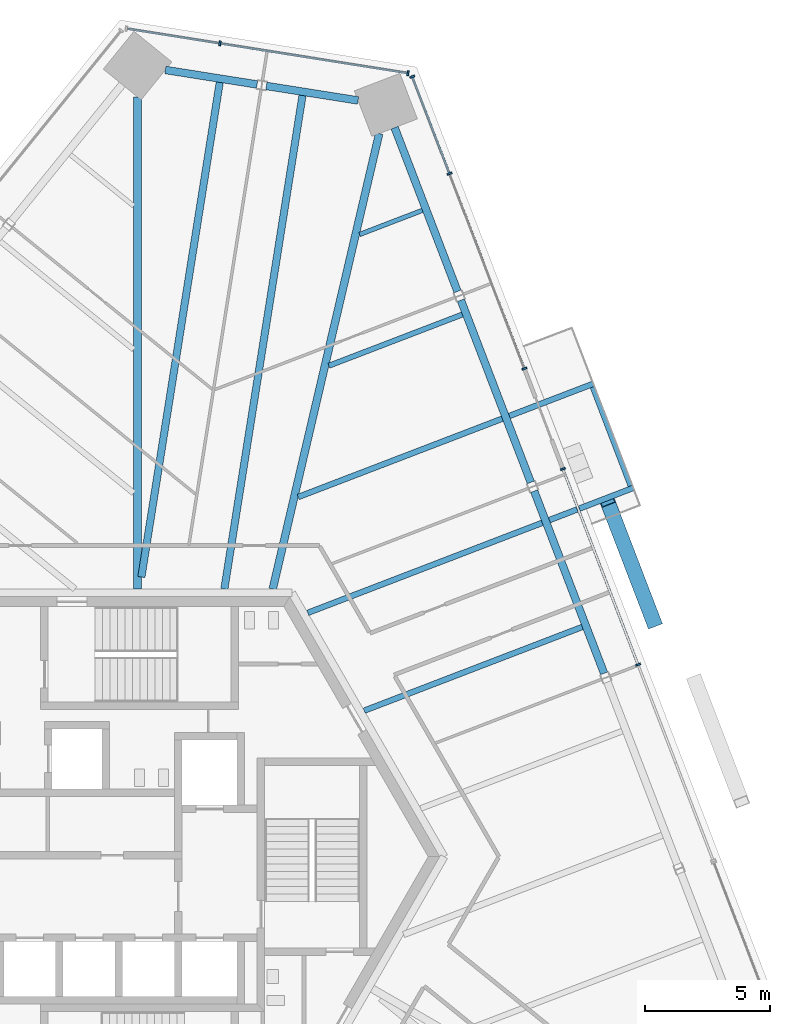
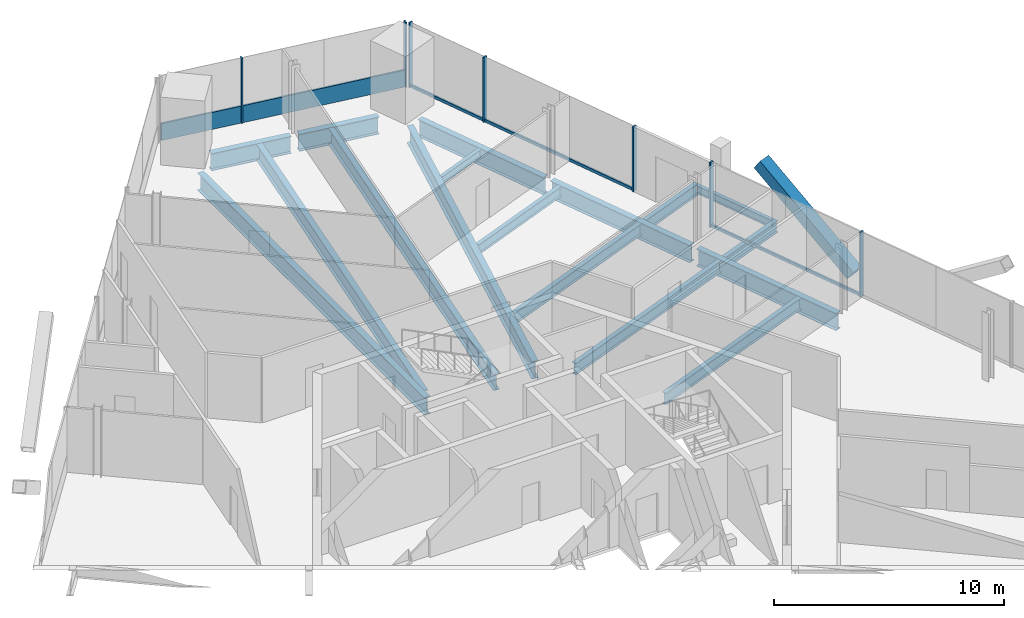
# One storey, part 8 of 18: 17 beams, 13 members, 3 elements without a shape of their own.
"""IFC4 building model written with IfcOpenShell, lengths in metres."""

from ifc_helpers import new_model, si_unit, direction, frame, origin, origin_2d, place, context, subcontext, project, spatial, rectangle, hollow_rectangle, i_section, extrude, source, transform, mapped, material, material_profile, profile_set, type_object, element, aggregate, save


model = new_model("IFC4")

# Units and contexts
model_context = context("Model", 3, precision=1e-05, world=origin(), true_north=direction((0.0, 1.0)))
body_context = subcontext(model_context, "Body", "Model", "MODEL_VIEW")
ifc_project = project(units=[si_unit("LENGTHUNIT", "METRE"), si_unit("AREAUNIT", "SQUARE_METRE"), si_unit("VOLUMEUNIT", "CUBIC_METRE"), si_unit("PLANEANGLEUNIT", "RADIAN"), si_unit("MASSUNIT", "GRAM", prefix="KILO")], contexts=[model_context])

# Site, building, storey
site_placement = place(None, origin())
site = spatial("IfcSite", under=ifc_project, at=site_placement, CompositionType="ELEMENT")
building_placement = place(site_placement, origin())
building = spatial("IfcBuilding", under=site, at=building_placement, Name="Triune Harvest Tower", CompositionType="ELEMENT")
storey_placement = place(building_placement, frame((0.0, 0.0, 156.89990234375)))
storey = spatial("IfcBuildingStorey", under=building, at=storey_placement, Name="L40", CompositionType="ELEMENT", Elevation=156.89990234375)

# Beams
ifc_material_1 = material(Name="Steel ASTM A992 Gr 50", Category="steel")
ifc_material_profile_1 = material_profile(ifc_material_1, i_section(OverallWidth=0.3046875, OverallDepth=0.914306640625, WebThickness=0.0166015625, FlangeThickness=0.02587890625, at=origin_2d()), Name="W36x160")
ifc_profile_set_1 = profile_set([ifc_material_profile_1], Name="Steel ASTM A992 Gr 50")
beam_type_1 = type_object("IfcBeamType", Name="SB-1 Spandrel beam W36x160", PredefinedType="SPANDREL", material=ifc_profile_set_1)
shared_shape_1 = source(origin(), body_context, "Body", "SweptSolid", [
    extrude(i_section(OverallWidth=0.3046875, OverallDepth=0.914306640625, WebThickness=0.0166015625, FlangeThickness=0.02587890625, at=origin_2d()), origin(), (0.0, 0.0, 1.0), 7.013427734375),
])
beam_1_placement = place(storey_placement, frame((12.709716796875, 22.592041015625, -0.6171875), z_axis=(-0.358372513984, 0.93357867436, 0.0), x_axis=(-0.93357867436, -0.358372513984, 0.0)))
element("IfcBeam", 1, at=beam_1_placement, inside=storey, type_object=beam_type_1, Name="beam/L40/SB6", PredefinedType="SPANDREL", context=body_context, shape_type="MappedRepresentation", body=[
    mapped(shared_shape_1, transform((0.0, 0.0, 0.0), scale=1.0)),
])
shared_shape_2 = source(origin(), body_context, "Body", "SweptSolid", [
    extrude(i_section(OverallWidth=0.3046875, OverallDepth=0.914306640625, WebThickness=0.0166015625, FlangeThickness=0.02587890625, at=origin_2d()), origin(), (0.0, 0.0, 1.0), 7.8017578125),
])
for number, where, z_axis, x_axis, name in (
    (2, (18.569091796875, 7.327880859375, -0.6171875), (-0.358372974677, 0.933578497514, 0.0), (-0.933578497514, -0.358372974677, 0.0), "beam/L40/SB4"),
    (3, (15.639404296875, 14.9599609375, -0.6171875), (-0.358372974677, 0.933578497514, 0.0), (-0.933578497514, -0.358372974677, 0.0), "beam/L40/SB5"),
):
    element("IfcBeam", number, at=place(storey_placement, frame(where, z_axis=z_axis, x_axis=x_axis)), inside=storey, type_object=beam_type_1, Name=name, PredefinedType="SPANDREL", context=body_context, shape_type="MappedRepresentation", body=[
        mapped(shared_shape_2, transform((0.0, 0.0, 0.0), scale=1.0)),
    ])
shared_shape_3 = source(origin(), body_context, "Body", "SweptSolid", [
    extrude(i_section(OverallWidth=0.3046875, OverallDepth=0.914306640625, WebThickness=0.0166015625, FlangeThickness=0.02587890625, at=origin_2d()), origin(), (0.0, 0.0, 1.0), 3.71240234375),
])
for number, where, z_axis, x_axis, name in (
    (4, (8.735107421875, 30.225830078125, -0.6171875), (-0.987686063537, 0.156448841145, 0.0), (-0.156448841145, -0.987686063537, 0.0), "beam/L40/SB7"),
    (5, (4.699462890625, 30.864990234375, -0.6171875), (-0.987686063537, 0.156448841145, 0.0), (-0.156448841145, -0.987686063537, 0.0), "beam/L40/SB8"),
):
    element("IfcBeam", number, at=place(storey_placement, frame(where, z_axis=z_axis, x_axis=x_axis)), inside=storey, type_object=beam_type_1, Name=name, PredefinedType="SPANDREL", context=body_context, shape_type="MappedRepresentation", body=[
        mapped(shared_shape_3, transform((0.0, 0.0, 0.0), scale=1.0)),
    ])
ifc_material_2 = material(Name="Steel ASTM A992 Gr 50", Category="steel")
ifc_material_profile_2 = material_profile(ifc_material_2, i_section(OverallWidth=0.307373046875, OverallDepth=0.922119140625, WebThickness=0.018310546875, FlangeThickness=0.030029296875, at=origin_2d()), Name="W36x182")
ifc_profile_set_2 = profile_set([ifc_material_profile_2], Name="Steel ASTM A992 Gr 50")
beam_type_2 = type_object("IfcBeamType", Name="HG-2 Hip girder W36x182", PredefinedType="BEAM", material=ifc_profile_set_2)
shared_shape_4 = source(origin(), body_context, "Body", "SweptSolid", [
    extrude(i_section(OverallWidth=0.307373046875, OverallDepth=0.922119140625, WebThickness=0.018310546875, FlangeThickness=0.030029296875, at=origin_2d()), origin(), (0.0, 0.0, 1.0), 18.6962890625),
])
beam_2_placement = place(storey_placement, frame((9.578857421875, 28.902587890625, -0.620849609375), z_axis=(-0.227605246905, -0.973753486043, 0.0), x_axis=(0.973753486043, -0.227605246905, 0.0)))
element("IfcBeam", 6, at=beam_2_placement, inside=storey, type_object=beam_type_2, Name="beam/L40/HG3", PredefinedType="BEAM", context=body_context, shape_type="MappedRepresentation", body=[
    mapped(shared_shape_4, transform((0.0, 0.0, 0.0), scale=1.0)),
])
shared_shape_5 = source(origin(), body_context, "Body", "SweptSolid", [
    extrude(i_section(OverallWidth=0.307373046875, OverallDepth=0.922119140625, WebThickness=0.018310546875, FlangeThickness=0.030029296875, at=origin_2d()), origin(), (0.0, 0.0, 1.0), 19.670166015625),
])
beam_3_placement = place(storey_placement, frame((-0.0791015625, 30.3671875, -0.620849609375), z_axis=(0.0, -1.0, 0.0), x_axis=(1.0, 0.0, 0.0)))
element("IfcBeam", 7, at=beam_3_placement, inside=storey, type_object=beam_type_2, Name="beam/L40/HG4", PredefinedType="BEAM", context=body_context, shape_type="MappedRepresentation", body=[
    mapped(shared_shape_5, transform((0.0, 0.0, 0.0), scale=1.0)),
])
ifc_material_3 = material(Name="Steel ASTM A992 Gr 50", Category="steel")
ifc_material_profile_3 = material_profile(ifc_material_3, i_section(OverallWidth=0.22900390625, OverallDepth=0.612060546875, WebThickness=0.011962890625, FlangeThickness=0.01953125, at=origin_2d()), Name="W24x84")
ifc_profile_set_3 = profile_set([ifc_material_profile_3], Name="Steel ASTM A992 Gr 50")
beam_type_3 = type_object("IfcBeamType", Name="JT-3 Floor joist W24x84", PredefinedType="JOIST", material=ifc_profile_set_3)
shared_shape_6 = source(origin(), body_context, "Body", "SweptSolid", [
    extrude(i_section(OverallWidth=0.22900390625, OverallDepth=0.612060546875, WebThickness=0.011962890625, FlangeThickness=0.01953125, at=origin_2d()), origin(), (0.0, 0.0, 1.0), 9.33203125),
])
beam_4_placement = place(storey_placement, frame((17.694580078125, 9.180419921875, -0.466064453125), z_axis=(-0.933582072806, -0.358363660734, 0.0), x_axis=(0.358363660734, -0.933582072806, 0.0)))
element("IfcBeam", 8, at=beam_4_placement, inside=storey, type_object=beam_type_3, Name="beam/L40/JT6", PredefinedType="JOIST", context=body_context, shape_type="MappedRepresentation", body=[
    mapped(shared_shape_6, transform((0.0, 0.0, 0.0), scale=1.0)),
])
shared_shape_7 = source(origin(), body_context, "Body", "SweptSolid", [
    extrude(i_section(OverallWidth=0.22900390625, OverallDepth=0.612060546875, WebThickness=0.011962890625, FlangeThickness=0.01953125, at=origin_2d()), origin(), (0.0, 0.0, 1.0), 10.038330078125),
])
beam_5_placement = place(storey_placement, frame((16.0966796875, 13.343505859375, -0.466064453125), z_axis=(-0.933580465952, -0.358367846762, 0.0), x_axis=(0.358367846762, -0.933580465952, 0.0)))
element("IfcBeam", 9, at=beam_5_placement, inside=storey, type_object=beam_type_3, Name="beam/L40/JT7", PredefinedType="JOIST", context=body_context, shape_type="MappedRepresentation", body=[
    mapped(shared_shape_7, transform((0.0, 0.0, 0.0), scale=1.0)),
])
shared_shape_8 = source(origin(), body_context, "Body", "SweptSolid", [
    extrude(i_section(OverallWidth=0.22900390625, OverallDepth=0.612060546875, WebThickness=0.011962890625, FlangeThickness=0.01953125, at=origin_2d()), origin(), (0.0, 0.0, 1.0), 8.738037109375),
])
beam_6_placement = place(storey_placement, frame((14.498779296875, 17.50634765625, -0.466064453125), z_axis=(-0.933584472757, -0.358357408499, 0.0), x_axis=(0.358357408499, -0.933584472757, 0.0)))
element("IfcBeam", 10, at=beam_6_placement, inside=storey, type_object=beam_type_3, Name="beam/L40/JT8", PredefinedType="JOIST", context=body_context, shape_type="MappedRepresentation", body=[
    mapped(shared_shape_8, transform((0.0, 0.0, 0.0), scale=1.0)),
])
ifc_material_4 = material(Name="Steel ASTM A992 Gr 50", Category="steel")
ifc_material_profile_4 = material_profile(ifc_material_4, i_section(OverallWidth=0.2099609375, OverallDepth=0.535888671875, WebThickness=0.010986328125, FlangeThickness=0.017333984375, at=origin_2d()), Name="W21x68")
ifc_profile_set_4 = profile_set([ifc_material_profile_4], Name="Steel ASTM A992 Gr 50")
beam_type_4 = type_object("IfcBeamType", Name="JT-2 Floor joist W21x68", PredefinedType="JOIST", material=ifc_profile_set_4)
shared_shape_9 = source(origin(), body_context, "Body", "SweptSolid", [
    extrude(i_section(OverallWidth=0.2099609375, OverallDepth=0.535888671875, WebThickness=0.010986328125, FlangeThickness=0.017333984375, at=origin_2d()), origin(), (0.0, 0.0, 1.0), 5.712890625),
])
beam_7_placement = place(storey_placement, frame((12.90087890625, 21.669189453125, -0.427978515625), z_axis=(-0.933593203906, -0.358334661483, 0.0), x_axis=(0.358334661483, -0.933593203906, 0.0)))
element("IfcBeam", 11, at=beam_7_placement, inside=storey, type_object=beam_type_4, Name="beam/L40/JT9", PredefinedType="JOIST", context=body_context, shape_type="MappedRepresentation", body=[
    mapped(shared_shape_9, transform((0.0, 0.0, 0.0), scale=1.0)),
])
ifc_material_5 = material(Name="Steel ASTM A992 Gr 50", Category="steel")
ifc_material_profile_5 = material_profile(ifc_material_5, i_section(OverallWidth=0.180908203125, OverallDepth=0.41650390625, WebThickness=0.010986328125, FlangeThickness=0.01806640625, at=origin_2d()), Name="W16x57")
ifc_profile_set_5 = profile_set([ifc_material_profile_5], Name="Steel ASTM A992 Gr 50")
beam_type_5 = type_object("IfcBeamType", Name="JT-1 Floor joist W16x57", PredefinedType="JOIST", material=ifc_profile_set_5)
shared_shape_10 = source(origin(), body_context, "Body", "SweptSolid", [
    extrude(i_section(OverallWidth=0.180908203125, OverallDepth=0.41650390625, WebThickness=0.010986328125, FlangeThickness=0.01806640625, at=origin_2d()), origin(), (0.0, 0.0, 1.0), 2.687255859375),
])
beam_8_placement = place(storey_placement, frame((11.302734375, 25.832275390625, -0.3681640625), z_axis=(-0.933567867424, -0.358400665336, 0.0), x_axis=(0.358400665336, -0.933567867424, 0.0)))
element("IfcBeam", 12, at=beam_8_placement, inside=storey, type_object=beam_type_5, Name="beam/L40/JT10", PredefinedType="JOIST", context=body_context, shape_type="MappedRepresentation", body=[
    mapped(shared_shape_10, transform((0.0, 0.0, 0.0), scale=1.0)),
])
ifc_material_6 = material(Name="Steel ASTM A992 Gr 50", Category="steel")
ifc_material_profile_6 = material_profile(ifc_material_6, i_section(OverallWidth=0.2919921875, OverallDepth=0.8583984375, WebThickness=0.01708984375, FlangeThickness=0.031005859375, at=origin_2d()), Name="W33x169")
ifc_profile_set_6 = profile_set([ifc_material_profile_6], Name="Steel ASTM A992 Gr 50")
beam_type_6 = type_object("IfcBeamType", Name="JT-7 Floor joist W33x169", PredefinedType="JOIST", material=ifc_profile_set_6)
shared_shape_11 = source(origin(), body_context, "Body", "SweptSolid", [
    extrude(i_section(OverallWidth=0.2919921875, OverallDepth=0.8583984375, WebThickness=0.01708984375, FlangeThickness=0.031005859375, at=origin_2d()), origin(), (0.0, 0.0, 1.0), 19.97216796875),
])
beam_9_placement = place(storey_placement, frame((6.514404296875, 30.42333984375, -0.589111328125), z_axis=(-0.15643083518, -0.987688915502, 0.0), x_axis=(0.987688915502, -0.15643083518, 0.0)))
element("IfcBeam", 13, at=beam_9_placement, inside=storey, type_object=beam_type_6, Name="beam/L40/JT11", PredefinedType="JOIST", context=body_context, shape_type="MappedRepresentation", body=[
    mapped(shared_shape_11, transform((0.0, 0.0, 0.0), scale=1.0)),
])
shared_shape_12 = source(origin(), body_context, "Body", "SweptSolid", [
    extrude(i_section(OverallWidth=0.2919921875, OverallDepth=0.8583984375, WebThickness=0.01708984375, FlangeThickness=0.031005859375, at=origin_2d()), origin(), (0.0, 0.0, 1.0), 20.016845703125),
])
beam_10_placement = place(storey_placement, frame((3.205810546875, 30.947509765625, -0.589111328125), z_axis=(-0.156434798458, -0.987688287787, 0.0), x_axis=(0.987688287787, -0.156434798458, 0.0)))
element("IfcBeam", 14, at=beam_10_placement, inside=storey, type_object=beam_type_6, Name="beam/L40/JT12", PredefinedType="JOIST", context=body_context, shape_type="MappedRepresentation", body=[
    mapped(shared_shape_12, transform((0.0, 0.0, 0.0), scale=1.0)),
])

# Member
ifc_material_7 = material(Name="Steel ASTM A572 Gr 50", Category="steel")
ifc_material_profile_7 = material_profile(ifc_material_7, hollow_rectangle(XDim=0.60009765625, YDim=0.60009765625, WallThickness=0.0400390625, at=origin_2d()), Name="Box 600x600x40")
ifc_profile_set_7 = profile_set([ifc_material_profile_7], Name="Steel ASTM A572 Gr 50")
member_type_1 = type_object("IfcMemberType", Name="BR-2 Brace Box 600x600x40", PredefinedType="BRACE", material=ifc_profile_set_7)
shared_shape_13 = source(origin(), body_context, "Body", "SweptSolid", [
    extrude(hollow_rectangle(XDim=0.60009765625, YDim=0.60009765625, WallThickness=0.0400390625, at=origin_2d()), origin(), (0.0, 0.0, 1.0), 6.3291015625),
])
member_1_placement = place(storey_placement, frame((20.560791015625, 9.363037109375, 0.0), z_axis=(-0.294740818173, 0.767845926784, 0.568806190915), x_axis=(-0.933583525139, -0.358359877202, 0.0)))
element("IfcMember", 15, at=member_1_placement, inside=storey, type_object=member_type_1, Name="brace/B4-F1/d1/6", PredefinedType="BRACE", context=body_context, shape_type="MappedRepresentation", body=[
    mapped(shared_shape_13, transform((0.0, 0.0, 0.0), scale=1.0)),
])

# Curtain wall, members
ifc_material_8 = material(Name="Aluminium bronze anodised", Category="aluminium")
curtain_wall_type_1 = type_object("IfcCurtainWallType", Name="CW-1 Tower stick curtain wall", PredefinedType="NOTDEFINED", material=ifc_material_8)
curtain_wall_1_placement = place(storey_placement, origin())
curtain_wall_1 = element("IfcCurtainWall", 16, at=curtain_wall_1_placement, inside=storey, type_object=curtain_wall_type_1, Name="CW-1 B4-F2 L40 run 1")
ifc_material_9 = material(Name="Aluminium bronze anodised", Category="aluminium")
ifc_material_profile_8 = material_profile(ifc_material_9, rectangle(XDim=0.199951171875, YDim=0.074951171875, at=origin_2d()), Name="MU-1 mullion 75 x 200")
ifc_profile_set_8 = profile_set([ifc_material_profile_8], Name="Aluminium bronze anodised")
member_type_2 = type_object("IfcMemberType", Name="MU-1 mullion 75 x 200", PredefinedType="MULLION", material=ifc_profile_set_8)
shared_shape_14 = source(origin(), body_context, "Body", "SweptSolid", [
    extrude(rectangle(XDim=0.199951171875, YDim=0.074951171875, at=origin_2d()), origin(), (0.0, 0.0, 1.0), 3.440185546875),
])
member_2_placement = place(storey_placement, frame((10.730224609375, 31.31591796875, 0.0), z_axis=(0.0, 0.0, 1.0), x_axis=(-0.156432728322, -0.987688615663, 0.0)))
member_2 = element("IfcMember", 17, at=member_2_placement, type_object=member_type_2, Name="CW-1 mullion B4-F2 1.1", PredefinedType="MULLION", context=body_context, shape_type="MappedRepresentation", body=[
    mapped(shared_shape_14, transform((0.0, 0.0, 0.0), scale=1.0)),
])
member_3_placement = place(storey_placement, frame((3.21240234375, 32.506591796875, 0.0), z_axis=(0.0, 0.0, 1.0), x_axis=(-0.156432728322, -0.987688615663, 0.0)))
member_3 = element("IfcMember", 18, at=member_3_placement, type_object=member_type_2, Name="CW-1 mullion B4-F2 1.3", PredefinedType="MULLION", context=body_context, shape_type="MappedRepresentation", body=[
    mapped(shared_shape_14, transform((0.0, 0.0, 0.0), scale=1.0)),
])

ifc_material_10 = material(Name="Aluminium bronze anodised", Category="aluminium")
curtain_wall_type_2 = type_object("IfcCurtainWallType", Name="CW-10 Balcony window wall with insulated spandrel infill", PredefinedType="NOTDEFINED", material=ifc_material_10)
curtain_wall_2_placement = place(storey_placement, origin())
curtain_wall_2 = element("IfcCurtainWall", 19, at=curtain_wall_2_placement, inside=storey, type_object=curtain_wall_type_2, Name="CW-10 B4-F1 L40 run 1001")
ifc_material_11 = material(Name="Aluminium bronze anodised", Category="aluminium")
ifc_material_profile_9 = material_profile(ifc_material_11, rectangle(XDim=0.199951171875, YDim=0.074951171875, at=origin_2d()), Name="MU-6 mullion 75 x 200")
ifc_profile_set_9 = profile_set([ifc_material_profile_9], Name="Aluminium bronze anodised")
member_type_3 = type_object("IfcMemberType", Name="MU-6 mullion 75 x 200", PredefinedType="MULLION", material=ifc_profile_set_9)
shared_shape_15 = source(origin(), body_context, "Body", "SweptSolid", [
    extrude(rectangle(XDim=0.199951171875, YDim=0.074951171875, at=origin_2d()), origin(), (0.0, 0.0, 1.0), 3.440185546875),
])
member_4_placement = place(storey_placement, frame((19.924560546875, 7.67236328125, 0.0), z_axis=(0.0, 0.0, 1.0), x_axis=(-0.933579220317, -0.358371091737, 0.0)))
member_4 = element("IfcMember", 20, at=member_4_placement, type_object=member_type_3, Name="CW-10 mullion B4-F1 1001.3", PredefinedType="MULLION", context=body_context, shape_type="MappedRepresentation", body=[
    mapped(shared_shape_15, transform((0.0, 0.0, 0.0), scale=1.0)),
])
member_5_placement = place(storey_placement, frame((16.920654296875, 15.497802734375, 0.0), z_axis=(0.0, 0.0, 1.0), x_axis=(-0.933579220317, -0.358371091737, 0.0)))
member_5 = element("IfcMember", 21, at=member_5_placement, type_object=member_type_3, Name="CW-10 mullion B4-F1 1001.5", PredefinedType="MULLION", context=body_context, shape_type="MappedRepresentation", body=[
    mapped(shared_shape_15, transform((0.0, 0.0, 0.0), scale=1.0)),
])

ifc_material_12 = material(Name="Aluminium bronze anodised", Category="aluminium")
curtain_wall_type_3 = type_object("IfcCurtainWallType", Name="CW-6 Balcony window wall", PredefinedType="NOTDEFINED", material=ifc_material_12)
curtain_wall_3_placement = place(storey_placement, origin())
curtain_wall_3 = element("IfcCurtainWall", 22, at=curtain_wall_3_placement, inside=storey, type_object=curtain_wall_type_3, Name="CW-6 B4-F1 L40 run 2")
member_6_placement = place(storey_placement, frame((15.380859375, 19.5087890625, 0.0), z_axis=(0.0, 0.0, 1.0), x_axis=(-0.933579918746, -0.35836927228, 0.0)))
member_6 = element("IfcMember", 23, at=member_6_placement, type_object=member_type_3, Name="CW-6 mullion B4-F1 2.1", PredefinedType="MULLION", context=body_context, shape_type="MappedRepresentation", body=[
    mapped(shared_shape_15, transform((0.0, 0.0, 0.0), scale=1.0)),
])
member_7_placement = place(storey_placement, frame((12.390380859375, 27.29931640625, 0.0), z_axis=(0.0, 0.0, 1.0), x_axis=(-0.933579918746, -0.35836927228, 0.0)))
member_7 = element("IfcMember", 24, at=member_7_placement, type_object=member_type_3, Name="CW-6 mullion B4-F1 2.3", PredefinedType="MULLION", context=body_context, shape_type="MappedRepresentation", body=[
    mapped(shared_shape_15, transform((0.0, 0.0, 0.0), scale=1.0)),
])
member_8_placement = place(storey_placement, frame((10.90185546875, 31.177001953125, 0.0), z_axis=(0.0, 0.0, 1.0), x_axis=(-0.933579918746, -0.35836927228, 0.0)))
member_8 = element("IfcMember", 25, at=member_8_placement, type_object=member_type_3, Name="CW-6 mullion B4-F1 2.4", PredefinedType="MULLION", context=body_context, shape_type="MappedRepresentation", body=[
    mapped(shared_shape_15, transform((0.0, 0.0, 0.0), scale=1.0)),
])

# Beams
ifc_material_13 = material(Name="Steel ASTM A992 Gr 50", Category="steel")
ifc_material_profile_10 = material_profile(ifc_material_13, i_section(OverallWidth=0.22900390625, OverallDepth=0.612060546875, WebThickness=0.011962890625, FlangeThickness=0.01953125, at=origin_2d()), Name="W24x84")
ifc_profile_set_10 = profile_set([ifc_material_profile_10], Name="Steel ASTM A992 Gr 50")
beam_type_7 = type_object("IfcBeamType", Name="BJ-3 Balcony cantilever joist W24x84", PredefinedType="JOIST", material=ifc_profile_set_10)
shared_shape_16 = source(origin(), body_context, "Body", "SweptSolid", [
    extrude(i_section(OverallWidth=0.22900390625, OverallDepth=0.612060546875, WebThickness=0.011962890625, FlangeThickness=0.01953125, at=origin_2d()), origin(), (0.0, 0.0, 1.0), 3.597900390625),
])
for number, where, z_axis, x_axis, name in (
    (26, (14.783203125, 17.615478515625, -0.466064453125), (0.93358499863, 0.358356038506, 0.0), (-0.358356038506, 0.93358499863, 0.0), "Balcony cantilever joist B4-F1 L40.9a"),
    (27, (16.381103515625, 13.45263671875, -0.466064453125), (0.93358499863, 0.358356038506, 0.0), (-0.358356038506, 0.93358499863, 0.0), "Balcony cantilever joist B4-F1 L40.9b"),
):
    element("IfcBeam", number, at=place(storey_placement, frame(where, z_axis=z_axis, x_axis=x_axis)), inside=storey, type_object=beam_type_7, Name=name, PredefinedType="JOIST", context=body_context, shape_type="MappedRepresentation", body=[
        mapped(shared_shape_16, transform((0.0, 0.0, 0.0), scale=1.0)),
    ])

# Member
ifc_material_14 = material(Name="Aluminium bronze anodised", Category="aluminium")
ifc_material_profile_11 = material_profile(ifc_material_14, rectangle(XDim=0.090087890625, YDim=0.89990234375, at=origin_2d()), Name="TR-1 transom 90 x 900")
ifc_profile_set_11 = profile_set([ifc_material_profile_11], Name="Aluminium bronze anodised")
member_type_4 = type_object("IfcMemberType", Name="TR-1 transom 90 x 900", PredefinedType="USERDEFINED", material=ifc_profile_set_11)
shared_shape_17 = source(origin(), body_context, "Body", "SweptSolid", [
    extrude(rectangle(XDim=0.090087890625, YDim=0.89990234375, at=origin_2d()), origin(), (0.0, 0.0, 1.0), 7.536376953125),
])
member_9_placement = place(storey_placement, frame((10.693115234375, 31.32177734375, 0.4501953125), z_axis=(-0.987688256511, 0.156434995923, 0.0), x_axis=(-0.156434995923, -0.987688256511, 0.0)))
member_9 = element("IfcMember", 28, at=member_9_placement, type_object=member_type_4, Name="CW-1 transom B4-F2 1.1", ObjectType="TRANSOM", PredefinedType="USERDEFINED", context=body_context, shape_type="MappedRepresentation", body=[
    mapped(shared_shape_17, transform((0.0, 0.0, 0.0), scale=1.0)),
])

shared_shape_18 = source(origin(), body_context, "Body", "SweptSolid", [
    extrude(rectangle(XDim=0.090087890625, YDim=0.89990234375, at=origin_2d()), origin(), (0.0, 0.0, 1.0), 3.7119140625),
])
member_10_placement = place(storey_placement, frame((3.17529296875, 32.512451171875, 0.4501953125), z_axis=(-0.987682843675, 0.156469167284, 0.0), x_axis=(-0.156469167284, -0.987682843675, 0.0)))
member_10 = element("IfcMember", 29, at=member_10_placement, type_object=member_type_4, Name="CW-1 transom B4-F2 1.2", ObjectType="TRANSOM", PredefinedType="USERDEFINED", context=body_context, shape_type="MappedRepresentation", body=[
    mapped(shared_shape_18, transform((0.0, 0.0, 0.0), scale=1.0)),
])

aggregate(curtain_wall_1, [member_2, member_3, member_9, member_10])

# Beam
ifc_material_15 = material(Name="Steel ASTM A992 Gr 50", Category="steel")
ifc_material_profile_12 = material_profile(ifc_material_15, i_section(OverallWidth=0.180908203125, OverallDepth=0.41650390625, WebThickness=0.010986328125, FlangeThickness=0.01806640625, at=origin_2d()), Name="W16x57")
ifc_profile_set_12 = profile_set([ifc_material_profile_12], Name="Steel ASTM A992 Gr 50")
beam_type_8 = type_object("IfcBeamType", Name="BE-1 balcony edge beam W16x57", PredefinedType="BEAM", material=ifc_profile_set_12)
shared_shape_19 = source(origin(), body_context, "Body", "SweptSolid", [
    extrude(i_section(OverallWidth=0.180908203125, OverallDepth=0.41650390625, WebThickness=0.010986328125, FlangeThickness=0.01806640625, at=origin_2d()), origin(), (0.0, 0.0, 1.0), 4.230224609375),
])
beam_11_placement = place(storey_placement, frame((18.0986328125, 18.765625, -0.3681640625), z_axis=(0.358348601672, -0.93358785322, 0.0), x_axis=(0.93358785322, 0.358348601672, 0.0)))
element("IfcBeam", 30, at=beam_11_placement, inside=storey, type_object=beam_type_8, Name="Balcony edge beam B4-F1 L40.9", PredefinedType="BEAM", context=body_context, shape_type="MappedRepresentation", body=[
    mapped(shared_shape_19, transform((0.0, 0.0, 0.0), scale=1.0)),
])

# Member
ifc_material_16 = material(Name="Aluminium bronze anodised", Category="aluminium")
ifc_material_profile_13 = material_profile(ifc_material_16, rectangle(XDim=0.090087890625, YDim=0.14990234375, at=origin_2d()), Name="TR-6 transom 90 x 150")
ifc_profile_set_13 = profile_set([ifc_material_profile_13], Name="Aluminium bronze anodised")
member_type_5 = type_object("IfcMemberType", Name="TR-6 transom 90 x 150", PredefinedType="USERDEFINED", material=ifc_profile_set_13)
shared_shape_20 = source(origin(), body_context, "Body", "SweptSolid", [
    extrude(rectangle(XDim=0.090087890625, YDim=0.14990234375, at=origin_2d()), origin(), (0.0, 0.0, 1.0), 8.30712890625),
])
member_11_placement = place(storey_placement, frame((19.9111328125, 7.70751953125, 0.0751953125), z_axis=(-0.358372433756, 0.933578705158, 0.0), x_axis=(-0.933578705158, -0.358372433756, 0.0)))
member_11 = element("IfcMember", 31, at=member_11_placement, type_object=member_type_5, Name="CW-10 transom B4-F1 1001.2", ObjectType="TRANSOM", PredefinedType="USERDEFINED", context=body_context, shape_type="MappedRepresentation", body=[
    mapped(shared_shape_20, transform((0.0, 0.0, 0.0), scale=1.0)),
])

aggregate(curtain_wall_2, [member_4, member_5, member_11])

shared_shape_21 = source(origin(), body_context, "Body", "SweptSolid", [
    extrude(rectangle(XDim=0.090087890625, YDim=0.14990234375, at=origin_2d()), origin(), (0.0, 0.0, 1.0), 8.269775390625),
])
member_12_placement = place(storey_placement, frame((15.367431640625, 19.543701171875, 0.0751953125), z_axis=(-0.358369689457, 0.933579758606, 0.0), x_axis=(-0.933579758606, -0.358369689457, 0.0)))
member_12 = element("IfcMember", 32, at=member_12_placement, type_object=member_type_5, Name="CW-6 transom B4-F1 2.1", ObjectType="TRANSOM", PredefinedType="USERDEFINED", context=body_context, shape_type="MappedRepresentation", body=[
    mapped(shared_shape_21, transform((0.0, 0.0, 0.0), scale=1.0)),
])

shared_shape_22 = source(origin(), body_context, "Body", "SweptSolid", [
    extrude(rectangle(XDim=0.090087890625, YDim=0.14990234375, at=origin_2d()), origin(), (0.0, 0.0, 1.0), 4.07861328125),
])
member_13_placement = place(storey_placement, frame((12.376953125, 27.334228515625, 0.0751953125), z_axis=(-0.358381332192, 0.93357528927, 0.0), x_axis=(-0.93357528927, -0.358381332192, 0.0)))
member_13 = element("IfcMember", 33, at=member_13_placement, type_object=member_type_5, Name="CW-6 transom B4-F1 2.2", ObjectType="TRANSOM", PredefinedType="USERDEFINED", context=body_context, shape_type="MappedRepresentation", body=[
    mapped(shared_shape_22, transform((0.0, 0.0, 0.0), scale=1.0)),
])

aggregate(curtain_wall_3, [member_6, member_7, member_8, member_12, member_13])

save(model, "model.ifc")
